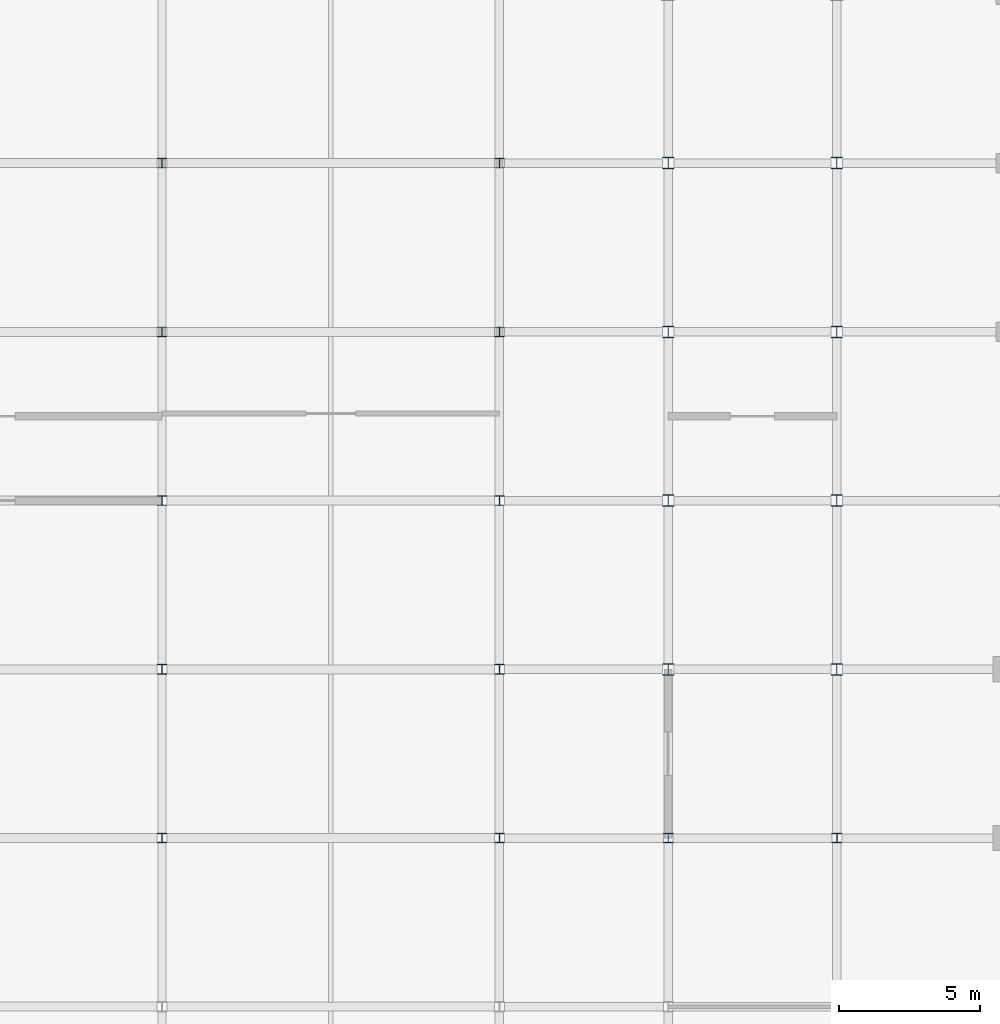
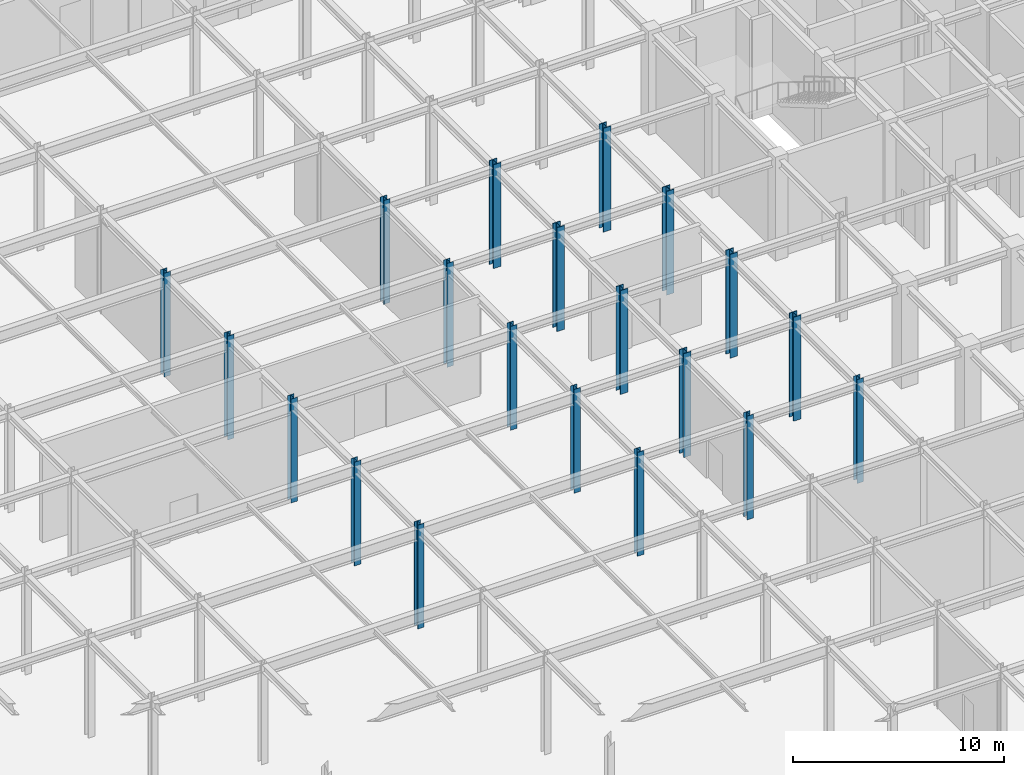
# One storey, part 14 of 51: 20 columns.
"""IFC4 building model written with IfcOpenShell, lengths in metres."""

import ifcopenshell
import ifcopenshell.guid

model = None  # the IFC model being written
_history = None  # IfcOwnerHistory: only IFC2X3 demands one
_inside = {}  # id of a spatial element -> (the spatial element, [elements in it])
_under = {}  # id of a project, library or spatial element -> (it, [spatial elements below it])
_declared = {}  # id of a project -> (the project, [libraries it declares])
_typed = {}  # id of a type object -> (the type object, [elements of that type])
_made_of = {}  # id of a material, layer set ... -> (it, [elements and type objects made of it])


def new_model(schema):
    """Start an empty IFC model of exactly this schema.

    Asked for "IFC4X3", IfcOpenShell would pick the latest addendum, in which some entities
    have other attributes; the version numbers below select the first issue.
    IFC2X3 requires an IfcOwnerHistory on every rooted entity: one is made here for all.
    """
    global model, _history
    if schema == "IFC4X3":
        model = ifcopenshell.file(schema_version=(4, 3, 0, 0))
    else:
        model = ifcopenshell.file(schema=schema)
    _inside.clear()
    _under.clear()
    _declared.clear()
    _typed.clear()
    _made_of.clear()
    _history = None
    if model.schema == "IFC2X3":
        org = make("IfcOrganization", Name="unknown")
        user = make(
            "IfcPersonAndOrganization",
            ThePerson=make("IfcPerson", FamilyName="unknown"),
            TheOrganization=org,
        )
        app = make(
            "IfcApplication",
            ApplicationDeveloper=org,
            Version="unknown",
            ApplicationFullName="unknown",
            ApplicationIdentifier="unknown",
        )
        _history = make(
            "IfcOwnerHistory",
            OwningUser=user,
            OwningApplication=app,
            ChangeAction="ADDED",
            CreationDate=0,
        )
    return model


def make(cls, **values):
    """One entity of the class cls with the attributes given. An attribute that is None is left unset."""
    return model.create_entity(
        cls, **{name: value for name, value in values.items() if value is not None}
    )


def rooted(cls, **values):
    """An entity with a GlobalId (a new one), such as an element, a storey or a relation."""
    return make(cls, GlobalId=ifcopenshell.guid.new(), OwnerHistory=_history, **values)


def si_unit(unit_type, name, prefix=None):
    """IfcSIUnit, for example si_unit("LENGTHUNIT", "METRE", prefix="MILLI")."""
    return make("IfcSIUnit", UnitType=unit_type, Prefix=prefix, Name=name)


def assignment(units):
    """IfcUnitAssignment: the units of a project."""
    return None if units is None else make("IfcUnitAssignment", Units=units)


def point(xyz):
    """IfcCartesianPoint."""
    return None if xyz is None else make("IfcCartesianPoint", Coordinates=xyz)


def direction(xyz):
    """IfcDirection."""
    return None if xyz is None else make("IfcDirection", DirectionRatios=xyz)


def frame(location, z_axis=None, x_axis=None):
    """IfcAxis2Placement3D, a coordinate frame: its origin and axes. An axis left out is left unset."""
    return make(
        "IfcAxis2Placement3D",
        Location=point(location),
        Axis=direction(z_axis),
        RefDirection=direction(x_axis),
    )


def frame_2d(location, x_axis=None):
    """IfcAxis2Placement2D, a coordinate frame in the plane: its origin and x axis."""
    return make(
        "IfcAxis2Placement2D", Location=point(location), RefDirection=direction(x_axis)
    )


def origin():
    """The frame at (0, 0, 0) with its axes left unset."""
    return frame((0.0, 0.0, 0.0))


def origin_2d():
    """The frame at (0, 0) in the plane with its x axis left unset."""
    return frame_2d((0.0, 0.0))


def place(relative_to, where):
    """IfcLocalPlacement: puts the frame where relative to a parent placement (None: the world)."""
    return make(
        "IfcLocalPlacement", PlacementRelTo=relative_to, RelativePlacement=where
    )


def context(
    kind, dimensions, precision=None, world=None, true_north=None, identifier=None
):
    """IfcGeometricRepresentationContext, for example the 3D "Model" context."""
    return make(
        "IfcGeometricRepresentationContext",
        ContextIdentifier=identifier,
        ContextType=kind,
        CoordinateSpaceDimension=dimensions,
        Precision=precision,
        WorldCoordinateSystem=world,
        TrueNorth=true_north,
    )


def subcontext(parent, identifier, kind, view, scale=None):
    """IfcGeometricRepresentationSubContext, for example "Body" below "Model"."""
    return make(
        "IfcGeometricRepresentationSubContext",
        ContextIdentifier=identifier,
        ContextType=kind,
        ParentContext=parent,
        TargetScale=scale,
        TargetView=view,
    )


def project(units=None, contexts=None):
    """IfcProject with its units and contexts."""
    return rooted(
        "IfcProject",
        Name="project",
        RepresentationContexts=contexts,
        UnitsInContext=assignment(units),
    )


def spatial(cls, under=None, at=None, **own):
    """A site, building, storey or space (cls), placed at a placement, below another one or the project."""
    s = rooted(cls, ObjectPlacement=at, **own)
    if under is not None:
        _under.setdefault(under.id(), (under, []))[1].append(s)
    return s


def profile(cls, at=None, kind="AREA", **sizes):
    """A parametric profile (cls). Its sizes go by their IFC names, for example OverallWidth=200.0."""
    return make(cls, ProfileType=kind, Position=at, **sizes)


def i_section(**sizes):
    """IfcIShapeProfileDef."""
    return profile("IfcIShapeProfileDef", **sizes)


def extrude(swept, where, along, depth):
    """IfcExtrudedAreaSolid: the profile swept, set in the frame where, extruded along a direction by depth."""
    return make(
        "IfcExtrudedAreaSolid",
        SweptArea=swept,
        Position=where,
        ExtrudedDirection=direction(along),
        Depth=depth,
    )


def shape(context_of_items, identifier, shape_type, items):
    """IfcShapeRepresentation: the items that make up one representation, for example the "Body"."""
    return make(
        "IfcShapeRepresentation",
        ContextOfItems=context_of_items,
        RepresentationIdentifier=identifier,
        RepresentationType=shape_type,
        Items=items,
    )


def material(Name=None, Category=None):
    """IfcMaterial."""
    return make("IfcMaterial", Name=Name, Category=Category)


def material_profile(
    of_material, cross_section, Name=None, Category=None, Priority=None
):
    """IfcMaterialProfile: a cross section and its material."""
    return make(
        "IfcMaterialProfile",
        Name=Name,
        Material=of_material,
        Profile=cross_section,
        Priority=Priority,
        Category=Category,
    )


def profile_set(profiles, Name=None, composite=None):
    """IfcMaterialProfileSet."""
    return make(
        "IfcMaterialProfileSet",
        Name=Name,
        MaterialProfiles=profiles,
        CompositeProfile=composite,
    )


def made_of(thing, what):
    """Note that an element or type object is made of a material, layer set ...; save() writes the relation."""
    if what is not None:
        _made_of.setdefault(what.id(), (what, []))[1].append(thing)
    return thing


def type_object(cls, material=None, **own):
    """A type object (cls), such as IfcWallType, which elements share."""
    return made_of(rooted(cls, **own), material)


def element(
    cls,
    number,
    at=None,
    inside=None,
    cuts=None,
    type_object=None,
    material=None,
    context=None,
    identifier="Body",
    shape_type=None,
    held_by="IfcProductDefinitionShape",
    body=None,
    shapes=None,
    **own,
):
    """One element of the class cls, such as IfcWall. Its Tag is "e" and its number.

    at: its placement. inside: the storey or other place that contains it. cuts: it is an
    opening in that element (IfcRelVoidsElement). A single representation is given by context,
    identifier, shape_type and body (its items); several are given by shapes. held_by: the class
    of the entity that holds the representations. save() writes the other relations.
    """
    e = rooted(cls, Tag="e%d" % number, ObjectPlacement=at, **own)
    if body is not None:
        shapes = [shape(context, identifier, shape_type, body)]
    if shapes is not None:
        e.Representation = make(held_by, Representations=shapes)
    if inside is not None:
        _inside.setdefault(inside.id(), (inside, []))[1].append(e)
    if cuts is not None:
        rooted(
            "IfcRelVoidsElement", RelatingBuildingElement=cuts, RelatedOpeningElement=e
        )
    if type_object is not None:
        _typed.setdefault(type_object.id(), (type_object, []))[1].append(e)
    return made_of(e, material)


def aggregate(whole, parts):
    """IfcRelAggregates: a whole, such as a stair, and the parts it consists of."""
    return rooted("IfcRelAggregates", RelatingObject=whole, RelatedObjects=parts)


def save(model, path):
    """Write the relations noted so far, then the file.

    IfcRelAggregates (storeys below a building ...), IfcRelContainedInSpatialStructure (elements
    in a storey), IfcRelDefinesByType, IfcRelAssociatesMaterial and IfcRelDeclares: one each for
    every whole, place, type object, material and project.
    """
    for whole, parts in _under.values():
        aggregate(whole, parts)
    for where, things in _inside.values():
        rooted(
            "IfcRelContainedInSpatialStructure",
            RelatedElements=things,
            RelatingStructure=where,
        )
    for kind, things in _typed.values():
        rooted("IfcRelDefinesByType", RelatedObjects=things, RelatingType=kind)
    for what, things in _made_of.values():
        rooted("IfcRelAssociatesMaterial", RelatedObjects=things, RelatingMaterial=what)
    for by, libraries in _declared.values():
        rooted("IfcRelDeclares", RelatingContext=by, RelatedDefinitions=libraries)
    model.write(path)


model = new_model("IFC4")

# Units and contexts
model_context = context("Model", 3, precision=1e-05, world=origin(), true_north=direction((0.0, 1.0)))
body_context = subcontext(model_context, "Body", "Model", "MODEL_VIEW")
ifc_project = project(units=[si_unit("LENGTHUNIT", "METRE"), si_unit("AREAUNIT", "SQUARE_METRE"), si_unit("VOLUMEUNIT", "CUBIC_METRE"), si_unit("PLANEANGLEUNIT", "RADIAN"), si_unit("MASSUNIT", "GRAM", prefix="KILO")], contexts=[model_context])

# Site, building, storey
site_placement = place(None, origin())
site = spatial("IfcSite", under=ifc_project, at=site_placement, CompositionType="ELEMENT")
building_placement = place(site_placement, origin())
building = spatial("IfcBuilding", under=site, at=building_placement, Name="Zlatovratsky Civic Hall", CompositionType="ELEMENT")
storey_placement = place(building_placement, origin())
storey = spatial("IfcBuildingStorey", under=building, at=storey_placement, Name="L01", CompositionType="ELEMENT", Elevation=0.0)

# Columns
ifc_material = material(Name="Steel S355", Category="steel")
ifc_material_profile_1 = material_profile(ifc_material, i_section(OverallWidth=0.35009765625, OverallDepth=0.343017578125, WebThickness=0.010009765625, FlangeThickness=0.014892578125, FilletRadius=0.02001953125, at=origin_2d()), Name="35K1")
ifc_profile_set_1 = profile_set([ifc_material_profile_1], Name="Steel S355")
column_type_1 = type_object("IfcColumnType", Name="Col_Steel_35K1", PredefinedType="COLUMN", material=ifc_profile_set_1)
for number, where, z_axis, x_axis, name in (
    (1, (36.0, 66.0, 0.0), (0.0, 0.0, 1.0), (1.0, 0.0, 0.0), "CL-0619"),
    (2, (48.0, 66.0, 0.0), (0.0, 0.0, 1.0), (1.0, 0.0, 0.0), "CL-0620"),
    (3, (54.0, 66.0, 0.0), (0.0, 0.0, 1.0), (1.0, 0.0, 0.0), "CL-0621"),
    (4, (60.0, 66.0, 0.0), (0.0, 0.0, 1.0), (1.0, 0.0, 0.0), "CL-0622"),
    (5, (36.0, 72.0, 0.0), (0.0, 0.0, 1.0), (1.0, 0.0, 0.0), "CL-0642"),
    (6, (48.0, 72.0, 0.0), (0.0, 0.0, 1.0), (1.0, 0.0, 0.0), "CL-0643"),
    (7, (36.0, 78.0, 0.0), (0.0, 0.0, 1.0), (1.0, 0.0, 0.0), "CL-0665"),
    (8, (48.0, 78.0, 0.0), (0.0, 0.0, 1.0), (1.0, 0.0, 0.0), "CL-0666"),
    (9, (36.0, 84.0, 0.0), (0.0, 0.0, 1.0), (1.0, 0.0, 0.0), "CL-0688"),
    (10, (48.0, 84.0, 0.0), (0.0, 0.0, 1.0), (1.0, 0.0, 0.0), "CL-0689"),
    (11, (36.0, 90.0, 0.0), (0.0, 0.0, 1.0), (1.0, 0.0, 0.0), "CL-0711"),
    (12, (48.0, 90.0, 0.0), (0.0, 0.0, 1.0), (1.0, 0.0, 0.0), "CL-0712"),
):
    element("IfcColumn", number, at=place(storey_placement, frame(where, z_axis=z_axis, x_axis=x_axis)), inside=storey, type_object=column_type_1, Name=name, PredefinedType="COLUMN", context=body_context, shape_type="SweptSolid", body=[
        extrude(i_section(OverallWidth=0.35009765625, OverallDepth=0.343017578125, WebThickness=0.010009765625, FlangeThickness=0.014892578125, FilletRadius=0.02001953125, at=origin_2d()), origin(), (0.0, 0.0, 1.0), 6.0),
    ])
ifc_material_profile_2 = material_profile(ifc_material, i_section(OverallWidth=0.408935546875, OverallDepth=0.428955078125, WebThickness=0.02392578125, FlangeThickness=0.035400390625, FilletRadius=0.02197265625, at=origin_2d()), Name="40K5")
ifc_profile_set_2 = profile_set([ifc_material_profile_2], Name="Steel S355")
column_type_2 = type_object("IfcColumnType", Name="Col_Steel_40K5", PredefinedType="COLUMN", material=ifc_profile_set_2)
for number, where, z_axis, x_axis, name in (
    (13, (54.0, 72.0, 0.0), (0.0, 0.0, 1.0), (1.0, 0.0, 0.0), "CL-0644"),
    (14, (60.0, 72.0, 0.0), (0.0, 0.0, 1.0), (1.0, 0.0, 0.0), "CL-0645"),
    (15, (54.0, 78.0, 0.0), (0.0, 0.0, 1.0), (1.0, 0.0, 0.0), "CL-0667"),
    (16, (60.0, 78.0, 0.0), (0.0, 0.0, 1.0), (1.0, 0.0, 0.0), "CL-0668"),
    (17, (54.0, 84.0, 0.0), (0.0, 0.0, 1.0), (1.0, 0.0, 0.0), "CL-0690"),
    (18, (60.0, 84.0, 0.0), (0.0, 0.0, 1.0), (1.0, 0.0, 0.0), "CL-0691"),
    (19, (54.0, 90.0, 0.0), (0.0, 0.0, 1.0), (1.0, 0.0, 0.0), "CL-0713"),
    (20, (60.0, 90.0, 0.0), (0.0, 0.0, 1.0), (1.0, 0.0, 0.0), "CL-0714"),
):
    element("IfcColumn", number, at=place(storey_placement, frame(where, z_axis=z_axis, x_axis=x_axis)), inside=storey, type_object=column_type_2, Name=name, PredefinedType="COLUMN", context=body_context, shape_type="SweptSolid", body=[
        extrude(i_section(OverallWidth=0.408935546875, OverallDepth=0.428955078125, WebThickness=0.02392578125, FlangeThickness=0.035400390625, FilletRadius=0.02197265625, at=origin_2d()), origin(), (0.0, 0.0, 1.0), 6.0),
    ])

save(model, "model.ifc")
